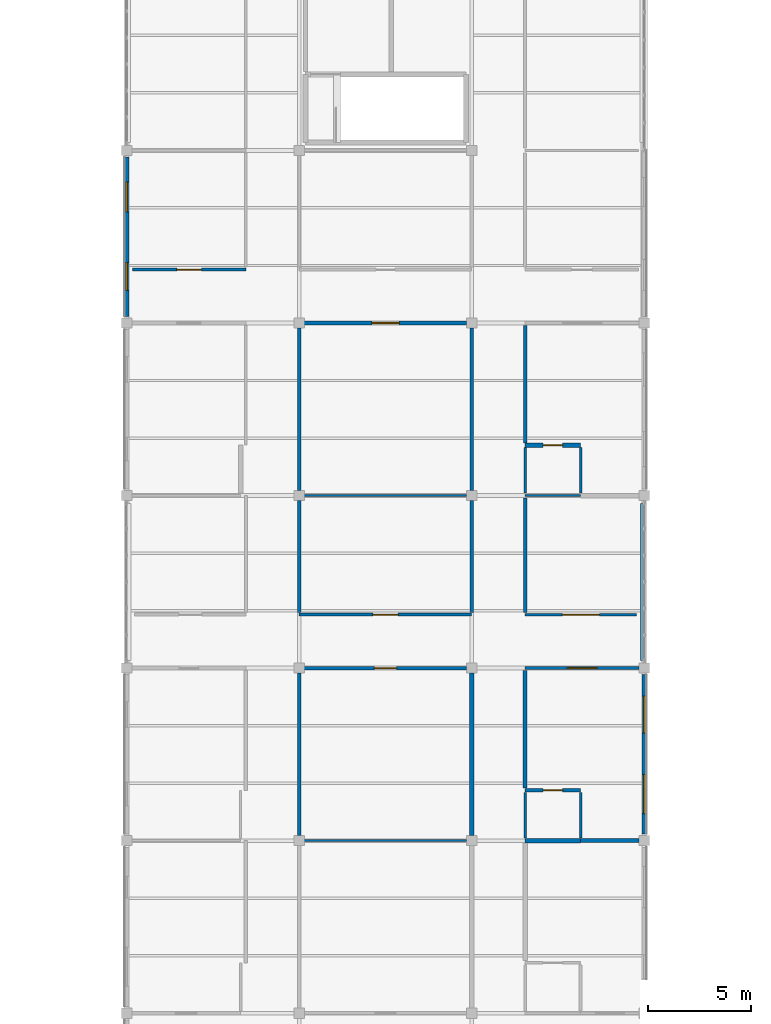
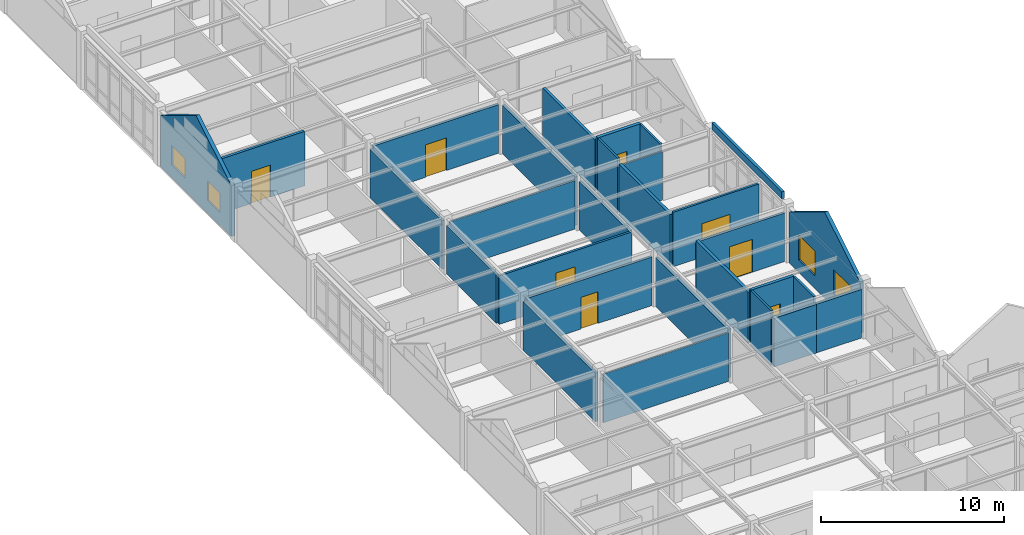
# One storey, part 36 of 45: 29 walls, 8 doors, 4 windows, 12 openings.
"""IFC4 building model written with IfcOpenShell, lengths in metres."""

from ifc_helpers import new_model, si_unit, direction, frame, frame_2d, origin, place, context, subcontext, project, spatial, polyline, rectangle, outline, extrude, material, layer, layer_set, type_object, element, fill, save


model = new_model("IFC4")

# Units and contexts
model_context = context("Model", 3, precision=1e-05, world=origin(), true_north=direction((0.0, 1.0)))
body_context = subcontext(model_context, "Body", "Model", "MODEL_VIEW")
ifc_project = project(units=[si_unit("LENGTHUNIT", "METRE"), si_unit("AREAUNIT", "SQUARE_METRE"), si_unit("VOLUMEUNIT", "CUBIC_METRE"), si_unit("PLANEANGLEUNIT", "RADIAN"), si_unit("MASSUNIT", "GRAM", prefix="KILO")], contexts=[model_context])

# Site, building, storey
site_placement = place(None, origin())
site = spatial("IfcSite", under=ifc_project, at=site_placement, CompositionType="ELEMENT")
building_placement = place(site_placement, origin())
building = spatial("IfcBuilding", under=site, at=building_placement, Name="Bramfleet General Hospital", CompositionType="ELEMENT")
storey_placement = place(building_placement, frame((0.0, 0.0, 30.300048828125)))
storey = spatial("IfcBuildingStorey", under=building, at=storey_placement, Name="L07", CompositionType="ELEMENT", Elevation=30.300048828125)

# Wall, openings, windows
ifc_material_1 = material(Name="Structural timber GL28h", Category="wood")
ifc_layer_1 = layer(ifc_material_1, 0.219970703125, Name="WT-EW-10")
ifc_layer_set_1 = layer_set([ifc_layer_1], Name="Structural timber GL28h")
wall_type_1 = type_object("IfcWallType", Name="WT-EW-10", PredefinedType="SOLIDWALL", material=ifc_layer_set_1)
wall_1_placement = place(storey_placement, frame((92.39990234375, 59.125, 0.0), z_axis=(0.0, 0.0, 1.0), x_axis=(0.0, 1.0, 0.0)))
wall_1 = element("IfcWall", 1, at=wall_1_placement, inside=storey, type_object=wall_type_1, Name="L07 Exterior Wall 428", PredefinedType="SOLIDWALL", context=body_context, shape_type="SweptSolid", body=[
    extrude(outline(polyline([(0.0, 0.0), (7.75, 0.0), (7.75, 3.419921875), (3.875, 5.76025390625), (0.0, 3.419921875), (0.0, 0.0)])), frame((0.0, 0.10986328125, 0.0), z_axis=(0.0, -1.0, 0.0), x_axis=(1.0, 0.0, 0.0)), (0.0, 0.0, 1.0), 0.219970703125),
])
opening_1_placement = place(wall_1_placement, frame((1.262451171875, 0.0, 0.85009765625)))
opening_1 = element("IfcOpeningElement", 2, at=opening_1_placement, cuts=wall_1, Name="Opening W-05", PredefinedType="OPENING", context=body_context, shape_type="SweptSolid", body=[
    extrude(rectangle(XDim=1.35009765625, YDim=1.300048828125, at=frame_2d((0.675048828125, 0.64990234375))), frame((0.0, 0.119873046875, 0.0), z_axis=(0.0, -1.0, 0.0), x_axis=(1.0, 0.0, 0.0)), (0.0, 0.0, 1.0), 0.239990234375),
])
opening_2_placement = place(wall_1_placement, frame((5.08740234375, 0.0, 0.85009765625)))
opening_2 = element("IfcOpeningElement", 3, at=opening_2_placement, cuts=wall_1, Name="Opening W-06", PredefinedType="OPENING", context=body_context, shape_type="SweptSolid", body=[
    extrude(rectangle(XDim=1.449951171875, YDim=1.300048828125, at=frame_2d((0.72509765625, 0.64990234375))), frame((0.0, 0.119873046875, 0.0), z_axis=(0.0, -1.0, 0.0), x_axis=(1.0, 0.0, 0.0)), (0.0, 0.0, 1.0), 0.239990234375),
])
ifc_material_2 = material(Name="Anodised aluminium and low-E triple glazing", Category="aluminium")
window_type_1 = type_object("IfcWindowType", Name="WIN-W-05", PartitioningType="SINGLE_PANEL", PredefinedType="WINDOW", material=ifc_material_2)
window_1_placement = place(opening_1_placement, origin())
window_1 = element("IfcWindow", 4, at=window_1_placement, inside=storey, type_object=window_type_1, Name="L07 Facade Window WIN-L07-428-1", OverallHeight=1.300048828125, OverallWidth=1.35009765625, PartitioningType="SINGLE_PANEL", PredefinedType="WINDOW", context=body_context, shape_type="SweptSolid", body=[
    extrude(rectangle(XDim=1.35009765625, YDim=1.300048828125, at=frame_2d((0.675048828125, 0.64990234375))), frame((0.0, 0.030029296875, 0.0), z_axis=(0.0, -1.0, 0.0), x_axis=(1.0, 0.0, 0.0)), (0.0, 0.0, 1.0), 0.06005859375),
])
fill(opening_1, window_1)
window_type_2 = type_object("IfcWindowType", Name="WIN-W-06", PartitioningType="SINGLE_PANEL", PredefinedType="WINDOW", material=ifc_material_2)
window_2_placement = place(opening_2_placement, origin())
window_2 = element("IfcWindow", 5, at=window_2_placement, inside=storey, type_object=window_type_2, Name="L07 Facade Window WIN-L07-428-2", OverallHeight=1.300048828125, OverallWidth=1.449951171875, PartitioningType="SINGLE_PANEL", PredefinedType="WINDOW", context=body_context, shape_type="SweptSolid", body=[
    extrude(rectangle(XDim=1.449951171875, YDim=1.300048828125, at=frame_2d((0.72509765625, 0.64990234375))), frame((0.0, 0.030029296875, 0.0), z_axis=(0.0, -1.0, 0.0), x_axis=(1.0, 0.0, 0.0)), (0.0, 0.0, 1.0), 0.06005859375),
])
fill(opening_2, window_2)

wall_2_placement = place(storey_placement, frame((117.60009765625, 41.675048828125, 0.0), z_axis=(0.0, 0.0, 1.0), x_axis=(0.0, -1.0, 0.0)))
wall_2 = element("IfcWall", 6, at=wall_2_placement, inside=storey, type_object=wall_type_1, Name="L07 Exterior Wall 445", PredefinedType="SOLIDWALL", context=body_context, shape_type="SweptSolid", body=[
    extrude(outline(polyline([(0.0, 0.0), (7.75, 0.0), (7.75, 3.419921875), (3.875, 5.76025390625), (0.0, 3.419921875), (0.0, 0.0)])), frame((0.0, 0.10986328125, 0.0), z_axis=(0.0, -1.0, 0.0), x_axis=(1.0, 0.0, 0.0)), (0.0, 0.0, 1.0), 0.219970703125),
])
opening_3_placement = place(wall_2_placement, frame((1.03759765625, 0.0, 0.85009765625)))
opening_3 = element("IfcOpeningElement", 7, at=opening_3_placement, cuts=wall_2, Name="Opening W-38", PredefinedType="OPENING", context=body_context, shape_type="SweptSolid", body=[
    extrude(rectangle(XDim=1.800048828125, YDim=1.659912109375, at=frame_2d((0.89990234375, 0.830078125))), frame((0.0, 0.119873046875, 0.0), z_axis=(0.0, -1.0, 0.0), x_axis=(1.0, 0.0, 0.0)), (0.0, 0.0, 1.0), 0.239990234375),
])
opening_4_placement = place(wall_2_placement, frame((4.862548828125, 0.0, 0.85009765625)))
opening_4 = element("IfcOpeningElement", 8, at=opening_4_placement, cuts=wall_2, Name="Opening W-39", PredefinedType="OPENING", context=body_context, shape_type="SweptSolid", body=[
    extrude(rectangle(XDim=1.89990234375, YDim=1.659912109375, at=frame_2d((0.949951171875, 0.830078125))), frame((0.0, 0.119873046875, 0.0), z_axis=(0.0, -1.0, 0.0), x_axis=(1.0, 0.0, 0.0)), (0.0, 0.0, 1.0), 0.239990234375),
])
window_type_3 = type_object("IfcWindowType", Name="WIN-W-38", PartitioningType="SINGLE_PANEL", PredefinedType="WINDOW", material=ifc_material_2)
window_3_placement = place(opening_3_placement, origin())
window_3 = element("IfcWindow", 9, at=window_3_placement, inside=storey, type_object=window_type_3, Name="L07 Facade Window WIN-L07-445-1", OverallHeight=1.659912109375, OverallWidth=1.800048828125, PartitioningType="SINGLE_PANEL", PredefinedType="WINDOW", context=body_context, shape_type="SweptSolid", body=[
    extrude(rectangle(XDim=1.800048828125, YDim=1.659912109375, at=frame_2d((0.89990234375, 0.830078125))), frame((0.0, 0.030029296875, 0.0), z_axis=(0.0, -1.0, 0.0), x_axis=(1.0, 0.0, 0.0)), (0.0, 0.0, 1.0), 0.06005859375),
])
fill(opening_3, window_3)
window_type_4 = type_object("IfcWindowType", Name="WIN-W-39", PartitioningType="SINGLE_PANEL", PredefinedType="WINDOW", material=ifc_material_2)
window_4_placement = place(opening_4_placement, origin())
window_4 = element("IfcWindow", 10, at=window_4_placement, inside=storey, type_object=window_type_4, Name="L07 Facade Window WIN-L07-445-2", OverallHeight=1.659912109375, OverallWidth=1.89990234375, PartitioningType="SINGLE_PANEL", PredefinedType="WINDOW", context=body_context, shape_type="SweptSolid", body=[
    extrude(rectangle(XDim=1.89990234375, YDim=1.659912109375, at=frame_2d((0.949951171875, 0.830078125))), frame((0.0, 0.030029296875, 0.0), z_axis=(0.0, -1.0, 0.0), x_axis=(1.0, 0.0, 0.0)), (0.0, 0.0, 1.0), 0.06005859375),
])
fill(opening_4, window_4)

# Walls
ifc_material_3 = material(Name="Concrete C35/45", Category="concrete")
ifc_layer_2 = layer(ifc_material_3, 0.219970703125, Name="WT-IW-01")
ifc_layer_set_2 = layer_set([ifc_layer_2], Name="Concrete C35/45")
wall_type_2 = type_object("IfcWallType", Name="WT-IW-01", PredefinedType="PARTITIONING", material=ifc_layer_set_2)
wall_3_placement = place(storey_placement, frame((111.800048828125, 33.60009765625, 0.0), z_axis=(0.0, 0.0, 1.0), x_axis=(1.0, 0.0, 0.0)))
element("IfcWall", 11, at=wall_3_placement, inside=storey, type_object=wall_type_2, Name="L07 Interior Partition IW-L07-4165", PredefinedType="PARTITIONING", context=body_context, shape_type="SweptSolid", body=[
    extrude(rectangle(XDim=2.699951171875, YDim=0.219970703125, at=frame_2d((1.35009765625, 0.0))), origin(), (0.0, 0.0, 1.0), 3.25),
])
ifc_layer_3 = layer(ifc_material_3, 0.205078125, Name="WT-IW-02")
ifc_layer_set_3 = layer_set([ifc_layer_3], Name="Concrete C35/45")
wall_type_3 = type_object("IfcWallType", Name="WT-IW-02", PredefinedType="PARTITIONING", material=ifc_layer_set_3)
wall_4_placement = place(storey_placement, frame((114.5, 33.60009765625, 0.0), z_axis=(0.0, 0.0, 1.0), x_axis=(1.0, 0.0, 0.0)))
element("IfcWall", 12, at=wall_4_placement, inside=storey, type_object=wall_type_3, Name="L07 Interior Partition IW-L07-4166", PredefinedType="PARTITIONING", context=body_context, shape_type="SweptSolid", body=[
    extrude(rectangle(XDim=2.85498046875, YDim=0.205078125, at=frame_2d((1.427490234375, 0.0))), origin(), (0.0, 0.0, 1.0), 3.25),
])

# Wall, opening, door
wall_5_placement = place(storey_placement, frame((111.800048828125, 52.85009765625, 0.0), z_axis=(0.0, 0.0, 1.0), x_axis=(1.0, 0.0, 0.0)))
wall_5 = element("IfcWall", 13, at=wall_5_placement, inside=storey, type_object=wall_type_3, Name="L07 Interior Partition IW-L07-4178", PredefinedType="PARTITIONING", context=body_context, shape_type="SweptSolid", body=[
    extrude(rectangle(XDim=2.699951171875, YDim=0.205078125, at=frame_2d((1.35009765625, 0.0))), origin(), (0.0, 0.0, 1.0), 3.64990234375),
])
opening_5_placement = place(wall_5_placement, frame((0.875, 0.0, 0.0)))
opening_5 = element("IfcOpeningElement", 14, at=opening_5_placement, cuts=wall_5, Name="Opening D1575", PredefinedType="OPENING", context=body_context, shape_type="SweptSolid", body=[
    extrude(rectangle(XDim=0.949951171875, YDim=2.10009765625, at=frame_2d((0.47509765625, 1.050048828125))), frame((0.0, 0.112548828125, 0.0), z_axis=(0.0, -1.0, 0.0), x_axis=(1.0, 0.0, 0.0)), (0.0, 0.0, 1.0), 0.22509765625),
])
ifc_material_4 = material(Name="Stainless steel and acoustic timber leaf", Category="steel")
door_type_1 = type_object("IfcDoorType", Name="DR-D-10", OperationType="NOTDEFINED", PredefinedType="DOOR", material=ifc_material_4)
door_1_placement = place(opening_5_placement, origin())
door_1 = element("IfcDoor", 15, at=door_1_placement, inside=storey, type_object=door_type_1, Name="Patient House PH-11 En-Suite Bathroom 1306 Door D1575", OperationType="SINGLE_SWING_LEFT", OverallHeight=2.10009765625, OverallWidth=0.949951171875, PredefinedType="DOOR", context=body_context, shape_type="SweptSolid", body=[
    extrude(rectangle(XDim=0.949951171875, YDim=2.10009765625, at=frame_2d((0.47509765625, 1.050048828125))), frame((0.0, 0.02490234375, 0.0), z_axis=(0.0, -1.0, 0.0), x_axis=(1.0, 0.0, 0.0)), (0.0, 0.0, 1.0), 0.050048828125),
])
fill(opening_5, door_1)

# Wall
wall_6_placement = place(storey_placement, frame((109.199951171875, 33.844970703125, 0.0), z_axis=(0.0, 0.0, 1.0), x_axis=(0.0, 1.0, 0.0)))
element("IfcWall", 16, at=wall_6_placement, inside=storey, type_object=wall_type_3, Name="L07 Interior Partition IW-L07-4298", PredefinedType="PARTITIONING", context=body_context, shape_type="SweptSolid", body=[
    extrude(rectangle(XDim=7.909912109375, YDim=0.205078125, at=frame_2d((3.955078125, 0.0))), origin(), (0.0, 0.0, 1.0), 3.25),
])

# Wall, opening, door
ifc_layer_4 = layer(ifc_material_3, 0.18994140625, Name="WT-IW-03")
ifc_layer_set_4 = layer_set([ifc_layer_4], Name="Concrete C35/45")
wall_type_4 = type_object("IfcWallType", Name="WT-IW-03", PredefinedType="PARTITIONING", material=ifc_layer_set_4)
wall_7_placement = place(storey_placement, frame((111.800048828125, 36.050048828125, 0.0), z_axis=(0.0, 0.0, 1.0), x_axis=(1.0, 0.0, 0.0)))
wall_7 = element("IfcWall", 17, at=wall_7_placement, inside=storey, type_object=wall_type_4, Name="L07 Interior Partition IW-L07-4167", PredefinedType="PARTITIONING", context=body_context, shape_type="SweptSolid", body=[
    extrude(rectangle(XDim=2.699951171875, YDim=0.18994140625, at=frame_2d((1.35009765625, 0.0))), origin(), (0.0, 0.0, 1.0), 3.64990234375),
])
opening_6_placement = place(wall_7_placement, frame((0.875, 0.0, 0.0)))
opening_6 = element("IfcOpeningElement", 18, at=opening_6_placement, cuts=wall_7, Name="Opening D1572", PredefinedType="OPENING", context=body_context, shape_type="SweptSolid", body=[
    extrude(rectangle(XDim=0.949951171875, YDim=2.10009765625, at=frame_2d((0.47509765625, 1.050048828125))), frame((0.0, 0.10498046875, 0.0), z_axis=(0.0, -1.0, 0.0), x_axis=(1.0, 0.0, 0.0)), (0.0, 0.0, 1.0), 0.2099609375),
])
door_2_placement = place(opening_6_placement, origin())
door_2 = element("IfcDoor", 19, at=door_2_placement, inside=storey, type_object=door_type_1, Name="Patient House PH-10 En-Suite Bathroom 1304 Door D1572", OperationType="SINGLE_SWING_LEFT", OverallHeight=2.10009765625, OverallWidth=0.949951171875, PredefinedType="DOOR", context=body_context, shape_type="SweptSolid", body=[
    extrude(rectangle(XDim=0.949951171875, YDim=2.10009765625, at=frame_2d((0.47509765625, 1.050048828125))), frame((0.0, 0.02490234375, 0.0), z_axis=(0.0, -1.0, 0.0), x_axis=(1.0, 0.0, 0.0)), (0.0, 0.0, 1.0), 0.050048828125),
])
fill(opening_6, door_2)

# Walls
wall_8_placement = place(storey_placement, frame((109.199951171875, 44.715087890625, 0.0), z_axis=(0.0, 0.0, 1.0), x_axis=(0.0, 1.0, 0.0)))
element("IfcWall", 20, at=wall_8_placement, inside=storey, type_object=wall_type_4, Name="L07 Interior Partition IW-L07-4299", PredefinedType="PARTITIONING", context=body_context, shape_type="SweptSolid", body=[
    extrude(rectangle(XDim=5.43994140625, YDim=0.18994140625, at=frame_2d((2.719970703125, 0.0))), origin(), (0.0, 0.0, 1.0), 3.25),
])
wall_9_placement = place(storey_placement, frame((111.800048828125, 36.1650390625, 0.0), z_axis=(0.0, 0.0, 1.0), x_axis=(0.0, 1.0, 0.0)))
element("IfcWall", 21, at=wall_9_placement, inside=storey, type_object=wall_type_4, Name="L07 Interior Partition IW-L07-4311", PredefinedType="PARTITIONING", context=body_context, shape_type="SweptSolid", body=[
    extrude(rectangle(XDim=5.719970703125, YDim=0.18994140625, at=frame_2d((2.85986328125, 0.0))), origin(), (0.0, 0.0, 1.0), 3.409912109375),
])

# Wall, opening, door
ifc_layer_5 = layer(ifc_material_3, 0.179931640625, Name="WT-IW-04")
ifc_layer_set_5 = layer_set([ifc_layer_5], Name="Concrete C35/45")
wall_type_5 = type_object("IfcWallType", Name="WT-IW-04", PredefinedType="PARTITIONING", material=ifc_layer_set_5)
wall_10_placement = place(storey_placement, frame((101.044921875, 58.800048828125, 0.0), z_axis=(0.0, 0.0, 1.0), x_axis=(1.0, 0.0, 0.0)))
wall_10 = element("IfcWall", 22, at=wall_10_placement, inside=storey, type_object=wall_type_5, Name="L07 Interior Partition IW-L07-4180", PredefinedType="PARTITIONING", context=body_context, shape_type="SweptSolid", body=[
    extrude(rectangle(XDim=7.91015625, YDim=0.179931640625, at=frame_2d((3.955078125, 0.0))), origin(), (0.0, 0.0, 1.0), 3.25),
])
opening_7_placement = place(wall_10_placement, frame((3.294921875, 0.0, 0.0)))
opening_7 = element("IfcOpeningElement", 23, at=opening_7_placement, cuts=wall_10, Name="Opening D1560", PredefinedType="OPENING", context=body_context, shape_type="SweptSolid", body=[
    extrude(rectangle(XDim=1.320068359375, YDim=2.179931640625, at=frame_2d((0.66015625, 1.08984375))), frame((0.0, 0.099853515625, 0.0), z_axis=(0.0, -1.0, 0.0), x_axis=(1.0, 0.0, 0.0)), (0.0, 0.0, 1.0), 0.199951171875),
])
door_type_2 = type_object("IfcDoorType", Name="DR-D-24", OperationType="NOTDEFINED", PredefinedType="DOOR", material=ifc_material_4)
door_3_placement = place(opening_7_placement, origin())
door_3 = element("IfcDoor", 24, at=door_3_placement, inside=storey, type_object=door_type_2, Name="Patient House Clean Support Room L07-1206 Door D1560", OperationType="SINGLE_SWING_LEFT", OverallHeight=2.179931640625, OverallWidth=1.320068359375, PredefinedType="DOOR", context=body_context, shape_type="SweptSolid", body=[
    extrude(rectangle(XDim=1.320068359375, YDim=2.179931640625, at=frame_2d((0.66015625, 1.08984375))), frame((0.0, 0.02490234375, 0.0), z_axis=(0.0, -1.0, 0.0), x_axis=(1.0, 0.0, 0.0)), (0.0, 0.0, 1.0), 0.050048828125),
])
fill(opening_7, door_3)

# Walls
wall_11_placement = place(storey_placement, frame((109.199951171875, 50.64501953125, 0.0), z_axis=(0.0, 0.0, 1.0), x_axis=(0.0, 1.0, 0.0)))
element("IfcWall", 25, at=wall_11_placement, inside=storey, type_object=wall_type_5, Name="L07 Interior Partition IW-L07-4300", PredefinedType="PARTITIONING", context=body_context, shape_type="SweptSolid", body=[
    extrude(rectangle(XDim=7.909912109375, YDim=0.179931640625, at=frame_2d((3.955078125, 0.0))), origin(), (0.0, 0.0, 1.0), 3.25),
])
wall_12_placement = place(storey_placement, frame((111.800048828125, 44.715087890625, 0.0), z_axis=(0.0, 0.0, 1.0), x_axis=(0.0, 1.0, 0.0)))
element("IfcWall", 26, at=wall_12_placement, inside=storey, type_object=wall_type_5, Name="L07 Interior Partition IW-L07-4312", PredefinedType="PARTITIONING", context=body_context, shape_type="SweptSolid", body=[
    extrude(rectangle(XDim=5.56982421875, YDim=0.179931640625, at=frame_2d((2.784912109375, 0.0))), origin(), (0.0, 0.0, 1.0), 3.409912109375),
])

# Wall, opening, door
ifc_material_5 = material(Name="Gypsum plasterboard on acoustic steel studs", Category="steel")
ifc_layer_6 = layer(ifc_material_5, 0.169921875, Name="WT-IW-05")
ifc_layer_set_6 = layer_set([ifc_layer_6], Name="Gypsum plasterboard on acoustic steel studs")
wall_type_6 = type_object("IfcWallType", Name="WT-IW-05", PredefinedType="PARTITIONING", material=ifc_layer_set_6)
wall_13_placement = place(storey_placement, frame((101.044921875, 42.0, 0.0), z_axis=(0.0, 0.0, 1.0), x_axis=(1.0, 0.0, 0.0)))
wall_13 = element("IfcWall", 27, at=wall_13_placement, inside=storey, type_object=wall_type_6, Name="L07 Interior Partition IW-L07-4169", PredefinedType="PARTITIONING", context=body_context, shape_type="SweptSolid", body=[
    extrude(rectangle(XDim=7.91015625, YDim=0.169921875, at=frame_2d((3.955078125, 0.0))), origin(), (0.0, 0.0, 1.0), 3.25),
])
opening_8_placement = place(wall_13_placement, frame((3.4150390625, 0.0, 0.0)))
opening_8 = element("IfcOpeningElement", 28, at=opening_8_placement, cuts=wall_13, Name="Opening D1558", PredefinedType="OPENING", context=body_context, shape_type="SweptSolid", body=[
    extrude(rectangle(XDim=1.080078125, YDim=2.1201171875, at=frame_2d((0.5400390625, 1.06005859375))), frame((0.0, 0.094970703125, 0.0), z_axis=(0.0, -1.0, 0.0), x_axis=(1.0, 0.0, 0.0)), (0.0, 0.0, 1.0), 0.18994140625),
])
door_type_3 = type_object("IfcDoorType", Name="DR-D-22", OperationType="NOTDEFINED", PredefinedType="DOOR", material=ifc_material_4)
door_4_placement = place(opening_8_placement, origin())
door_4 = element("IfcDoor", 29, at=door_4_placement, inside=storey, type_object=door_type_3, Name="Patient House Clean Support Room L07-1204 Door D1558", OperationType="SINGLE_SWING_LEFT", OverallHeight=2.1201171875, OverallWidth=1.080078125, PredefinedType="DOOR", context=body_context, shape_type="SweptSolid", body=[
    extrude(rectangle(XDim=1.080078125, YDim=2.1201171875, at=frame_2d((0.5400390625, 1.06005859375))), frame((0.0, 0.02490234375, 0.0), z_axis=(0.0, -1.0, 0.0), x_axis=(1.0, 0.0, 0.0)), (0.0, 0.0, 1.0), 0.050048828125),
])
fill(opening_8, door_4)

# Wall
wall_14_placement = place(storey_placement, frame((100.800048828125, 33.844970703125, 0.0), z_axis=(0.0, 0.0, 1.0), x_axis=(0.0, 1.0, 0.0)))
element("IfcWall", 30, at=wall_14_placement, inside=storey, type_object=wall_type_6, Name="L07 Interior Partition IW-L07-4289", PredefinedType="PARTITIONING", context=body_context, shape_type="SweptSolid", body=[
    extrude(rectangle(XDim=7.909912109375, YDim=0.169921875, at=frame_2d((3.955078125, 0.0))), origin(), (0.0, 0.0, 1.0), 3.25),
])

# Wall, opening, door
ifc_layer_7 = layer(ifc_material_5, 0.159912109375, Name="WT-IW-06")
ifc_layer_set_7 = layer_set([ifc_layer_7], Name="Gypsum plasterboard on acoustic steel studs")
wall_type_7 = type_object("IfcWallType", Name="WT-IW-06", PredefinedType="PARTITIONING", material=ifc_layer_set_7)
wall_15_placement = place(storey_placement, frame((111.800048828125, 42.0, 0.0), z_axis=(0.0, 0.0, 1.0), x_axis=(1.0, 0.0, 0.0)))
wall_15 = element("IfcWall", 31, at=wall_15_placement, inside=storey, type_object=wall_type_7, Name="L07 Interior Partition IW-L07-4170", PredefinedType="PARTITIONING", context=body_context, shape_type="SweptSolid", body=[
    extrude(rectangle(XDim=5.554931640625, YDim=0.159912109375, at=frame_2d((2.77734375, 0.0))), origin(), (0.0, 0.0, 1.0), 3.25),
])
opening_9_placement = place(wall_15_placement, frame((2.052490234375, 0.0, 0.0)))
opening_9 = element("IfcOpeningElement", 32, at=opening_9_placement, cuts=wall_15, Name="Opening D1571", PredefinedType="OPENING", context=body_context, shape_type="SweptSolid", body=[
    extrude(rectangle(XDim=1.449951171875, YDim=2.199951171875, at=frame_2d((0.72509765625, 1.10009765625))), frame((0.0, 0.08984375, 0.0), z_axis=(0.0, -1.0, 0.0), x_axis=(1.0, 0.0, 0.0)), (0.0, 0.0, 1.0), 0.179931640625),
])
door_type_4 = type_object("IfcDoorType", Name="DR-D-03", OperationType="NOTDEFINED", PredefinedType="DOOR", material=ifc_material_4)
door_5_placement = place(opening_9_placement, origin())
door_5 = element("IfcDoor", 33, at=door_5_placement, inside=storey, type_object=door_type_4, Name="Gabled Patient House PH-10 Bedroom 1304 Door D1571", OperationType="SINGLE_SWING_RIGHT", OverallHeight=2.199951171875, OverallWidth=1.449951171875, PredefinedType="DOOR", context=body_context, shape_type="SweptSolid", body=[
    extrude(rectangle(XDim=1.449951171875, YDim=2.199951171875, at=frame_2d((0.72509765625, 1.10009765625))), frame((0.0, 0.02490234375, 0.0), z_axis=(0.0, -1.0, 0.0), x_axis=(1.0, 0.0, 0.0)), (0.0, 0.0, 1.0), 0.050048828125),
])
fill(opening_9, door_5)

wall_16_placement = place(storey_placement, frame((92.679931640625, 61.39990234375, 0.0), z_axis=(0.0, 0.0, 1.0), x_axis=(1.0, 0.0, 0.0)))
wall_16 = element("IfcWall", 34, at=wall_16_placement, inside=storey, type_object=wall_type_7, Name="L07 Interior Partition IW-L07-4182", PredefinedType="PARTITIONING", context=body_context, shape_type="SweptSolid", body=[
    extrude(rectangle(XDim=5.52001953125, YDim=0.159912109375, at=frame_2d((2.760009765625, 0.0))), origin(), (0.0, 0.0, 1.0), 3.64990234375),
])
opening_10_placement = place(wall_16_placement, frame((2.159912109375, 0.0, 0.0)))
opening_10 = element("IfcOpeningElement", 35, at=opening_10_placement, cuts=wall_16, Name="Opening D1549", PredefinedType="OPENING", context=body_context, shape_type="SweptSolid", body=[
    extrude(rectangle(XDim=1.199951171875, YDim=2.14990234375, at=frame_2d((0.60009765625, 1.074951171875))), frame((0.0, 0.08984375, 0.0), z_axis=(0.0, -1.0, 0.0), x_axis=(1.0, 0.0, 0.0)), (0.0, 0.0, 1.0), 0.179931640625),
])
door_type_5 = type_object("IfcDoorType", Name="DR-D-13", OperationType="NOTDEFINED", PredefinedType="DOOR", material=ifc_material_4)
door_6_placement = place(opening_10_placement, origin())
door_6 = element("IfcDoor", 36, at=door_6_placement, inside=storey, type_object=door_type_5, Name="Gabled Patient House PH-12 Bedroom 1107 Door D1549", OperationType="SINGLE_SWING_RIGHT", OverallHeight=2.14990234375, OverallWidth=1.199951171875, PredefinedType="DOOR", context=body_context, shape_type="SweptSolid", body=[
    extrude(rectangle(XDim=1.199951171875, YDim=2.14990234375, at=frame_2d((0.60009765625, 1.074951171875))), frame((0.0, 0.02490234375, 0.0), z_axis=(0.0, -1.0, 0.0), x_axis=(1.0, 0.0, 0.0)), (0.0, 0.0, 1.0), 0.050048828125),
])
fill(opening_10, door_6)

# Walls
wall_17_placement = place(storey_placement, frame((100.800048828125, 44.715087890625, 0.0), z_axis=(0.0, 0.0, 1.0), x_axis=(0.0, 1.0, 0.0)))
element("IfcWall", 37, at=wall_17_placement, inside=storey, type_object=wall_type_7, Name="L07 Interior Partition IW-L07-4290", PredefinedType="PARTITIONING", context=body_context, shape_type="SweptSolid", body=[
    extrude(rectangle(XDim=5.43994140625, YDim=0.159912109375, at=frame_2d((2.719970703125, 0.0))), origin(), (0.0, 0.0, 1.0), 3.25),
])
wall_18_placement = place(storey_placement, frame((111.800048828125, 52.965087890625, 0.0), z_axis=(0.0, 0.0, 1.0), x_axis=(0.0, 1.0, 0.0)))
element("IfcWall", 38, at=wall_18_placement, inside=storey, type_object=wall_type_7, Name="L07 Interior Partition IW-L07-4314", PredefinedType="PARTITIONING", context=body_context, shape_type="SweptSolid", body=[
    extrude(rectangle(XDim=5.719970703125, YDim=0.159912109375, at=frame_2d((2.85986328125, 0.0))), origin(), (0.0, 0.0, 1.0), 3.409912109375),
])
ifc_layer_8 = layer(ifc_material_5, 0.14990234375, Name="WT-IW-07")
ifc_layer_set_8 = layer_set([ifc_layer_8], Name="Gypsum plasterboard on acoustic steel studs")
wall_type_8 = type_object("IfcWallType", Name="WT-IW-07", PredefinedType="PARTITIONING", material=ifc_layer_set_8)
wall_19_placement = place(storey_placement, frame((100.800048828125, 50.64501953125, 0.0), z_axis=(0.0, 0.0, 1.0), x_axis=(0.0, 1.0, 0.0)))
element("IfcWall", 39, at=wall_19_placement, inside=storey, type_object=wall_type_8, Name="L07 Interior Partition IW-L07-4291", PredefinedType="PARTITIONING", context=body_context, shape_type="SweptSolid", body=[
    extrude(rectangle(XDim=7.909912109375, YDim=0.14990234375, at=frame_2d((3.955078125, 0.0))), origin(), (0.0, 0.0, 1.0), 3.25),
])

# Wall, opening, door
ifc_layer_9 = layer(ifc_material_5, 0.139892578125, Name="WT-IW-08")
ifc_layer_set_9 = layer_set([ifc_layer_9], Name="Gypsum plasterboard on acoustic steel studs")
wall_type_9 = type_object("IfcWallType", Name="WT-IW-08", PredefinedType="PARTITIONING", material=ifc_layer_set_9)
wall_20_placement = place(storey_placement, frame((100.800048828125, 44.60009765625, 0.0), z_axis=(0.0, 0.0, 1.0), x_axis=(1.0, 0.0, 0.0)))
wall_20 = element("IfcWall", 40, at=wall_20_placement, inside=storey, type_object=wall_type_9, Name="L07 Interior Partition IW-L07-4172", PredefinedType="PARTITIONING", context=body_context, shape_type="SweptSolid", body=[
    extrude(rectangle(XDim=8.39990234375, YDim=0.139892578125, at=frame_2d((4.199951171875, 0.0))), origin(), (0.0, 0.0, 1.0), 3.25),
])
opening_11_placement = place(wall_20_placement, frame((3.590087890625, 0.0, 0.0)))
opening_11 = element("IfcOpeningElement", 41, at=opening_11_placement, cuts=wall_20, Name="Opening D1559", PredefinedType="OPENING", context=body_context, shape_type="SweptSolid", body=[
    extrude(rectangle(XDim=1.219970703125, YDim=2.179931640625, at=frame_2d((0.60986328125, 1.08984375))), frame((0.0, 0.079833984375, 0.0), z_axis=(0.0, -1.0, 0.0), x_axis=(1.0, 0.0, 0.0)), (0.0, 0.0, 1.0), 0.159912109375),
])
door_type_6 = type_object("IfcDoorType", Name="DR-D-23", OperationType="NOTDEFINED", PredefinedType="DOOR", material=ifc_material_4)
door_7_placement = place(opening_11_placement, origin())
door_7 = element("IfcDoor", 42, at=door_7_placement, inside=storey, type_object=door_type_6, Name="Patient House Clean Support Room L07-1205 Door D1559", OperationType="SINGLE_SWING_RIGHT", OverallHeight=2.179931640625, OverallWidth=1.219970703125, PredefinedType="DOOR", context=body_context, shape_type="SweptSolid", body=[
    extrude(rectangle(XDim=1.219970703125, YDim=2.179931640625, at=frame_2d((0.60986328125, 1.08984375))), frame((0.0, 0.02490234375, 0.0), z_axis=(0.0, -1.0, 0.0), x_axis=(1.0, 0.0, 0.0)), (0.0, 0.0, 1.0), 0.050048828125),
])
fill(opening_11, door_7)

ifc_layer_10 = layer(ifc_material_5, 0.1298828125, Name="WT-IW-09")
ifc_layer_set_10 = layer_set([ifc_layer_10], Name="Gypsum plasterboard on acoustic steel studs")
wall_type_10 = type_object("IfcWallType", Name="WT-IW-09", PredefinedType="PARTITIONING", material=ifc_layer_set_10)
wall_21_placement = place(storey_placement, frame((111.800048828125, 44.60009765625, 0.0), z_axis=(0.0, 0.0, 1.0), x_axis=(1.0, 0.0, 0.0)))
wall_21 = element("IfcWall", 43, at=wall_21_placement, inside=storey, type_object=wall_type_10, Name="L07 Interior Partition IW-L07-4173", PredefinedType="PARTITIONING", context=body_context, shape_type="SweptSolid", body=[
    extrude(rectangle(XDim=5.425048828125, YDim=0.1298828125, at=frame_2d((2.71240234375, 0.0))), origin(), (0.0, 0.0, 1.0), 3.64990234375),
])
opening_12_placement = place(wall_21_placement, frame((1.8125, 0.0, 0.0)))
opening_12 = element("IfcOpeningElement", 44, at=opening_12_placement, cuts=wall_21, Name="Opening D1573", PredefinedType="OPENING", context=body_context, shape_type="SweptSolid", body=[
    extrude(rectangle(XDim=1.800048828125, YDim=2.25, at=frame_2d((0.89990234375, 1.125))), frame((0.0, 0.074951171875, 0.0), z_axis=(0.0, -1.0, 0.0), x_axis=(1.0, 0.0, 0.0)), (0.0, 0.0, 1.0), 0.14990234375),
])
door_type_7 = type_object("IfcDoorType", Name="DR-D-05", OperationType="NOTDEFINED", PredefinedType="DOOR", material=ifc_material_4)
door_8_placement = place(opening_12_placement, origin())
door_8 = element("IfcDoor", 45, at=door_8_placement, inside=storey, type_object=door_type_7, Name="Flat-Link Nurse Station and Medication Hub L07-1305 Door D1573", OperationType="DOUBLE_SWING_RIGHT", OverallHeight=2.25, OverallWidth=1.800048828125, PredefinedType="DOOR", context=body_context, shape_type="SweptSolid", body=[
    extrude(rectangle(XDim=1.800048828125, YDim=2.25, at=frame_2d((0.89990234375, 1.125))), frame((0.0, 0.02490234375, 0.0), z_axis=(0.0, -1.0, 0.0), x_axis=(1.0, 0.0, 0.0)), (0.0, 0.0, 1.0), 0.050048828125),
])
fill(opening_12, door_8)

# Walls
wall_22_placement = place(storey_placement, frame((114.5, 33.715087890625, 0.0), z_axis=(0.0, 0.0, 1.0), x_axis=(0.0, 1.0, 0.0)))
element("IfcWall", 46, at=wall_22_placement, inside=storey, type_object=wall_type_10, Name="L07 Interior Partition IW-L07-4329", PredefinedType="PARTITIONING", context=body_context, shape_type="SweptSolid", body=[
    extrude(rectangle(XDim=2.219970703125, YDim=0.1298828125, at=frame_2d((1.10986328125, 0.0))), origin(), (0.0, 0.0, 1.0), 3.64990234375),
])
ifc_layer_11 = layer(ifc_material_5, 0.1201171875, Name="WT-IW-10")
ifc_layer_set_11 = layer_set([ifc_layer_11], Name="Gypsum plasterboard on acoustic steel studs")
wall_type_11 = type_object("IfcWallType", Name="WT-IW-10", PredefinedType="PARTITIONING", material=ifc_layer_set_11)
wall_23_placement = place(storey_placement, frame((111.800048828125, 33.715087890625, 0.0), z_axis=(0.0, 0.0, 1.0), x_axis=(0.0, 1.0, 0.0)))
element("IfcWall", 47, at=wall_23_placement, inside=storey, type_object=wall_type_11, Name="L07 Interior Partition IW-L07-4310", PredefinedType="PARTITIONING", context=body_context, shape_type="SweptSolid", body=[
    extrude(rectangle(XDim=2.219970703125, YDim=0.1201171875, at=frame_2d((1.10986328125, 0.0))), origin(), (0.0, 0.0, 1.0), 3.64990234375),
])
for number, where, z_axis, x_axis, name in (
    (48, (111.800048828125, 50.514892578125, 0.0), (0.0, 0.0, 1.0), (0.0, 1.0, 0.0), "L07 Interior Partition IW-L07-4313"),
    (49, (114.5, 50.514892578125, 0.0), (0.0, 0.0, 1.0), (0.0, 1.0, 0.0), "L07 Interior Partition IW-L07-4330"),
):
    element("IfcWall", number, at=place(storey_placement, frame(where, z_axis=z_axis, x_axis=x_axis)), inside=storey, type_object=wall_type_11, Name=name, PredefinedType="PARTITIONING", context=body_context, shape_type="SweptSolid", body=[
        extrude(rectangle(XDim=2.22021484375, YDim=0.1201171875, at=frame_2d((1.110107421875, 0.0))), origin(), (0.0, 0.0, 1.0), 3.64990234375),
    ])
ifc_layer_12 = layer(ifc_material_5, 0.112060546875, Name="WT-IW-11")
ifc_layer_set_12 = layer_set([ifc_layer_12], Name="Gypsum plasterboard on acoustic steel studs")
wall_type_12 = type_object("IfcWallType", Name="WT-IW-11", PredefinedType="PARTITIONING", material=ifc_layer_set_12)
wall_24_placement = place(storey_placement, frame((101.044921875, 50.39990234375, 0.0), z_axis=(0.0, 0.0, 1.0), x_axis=(1.0, 0.0, 0.0)))
element("IfcWall", 50, at=wall_24_placement, inside=storey, type_object=wall_type_12, Name="L07 Interior Partition IW-L07-4175", PredefinedType="PARTITIONING", context=body_context, shape_type="SweptSolid", body=[
    extrude(rectangle(XDim=7.91015625, YDim=0.112060546875, at=frame_2d((3.955078125, 0.0))), origin(), (0.0, 0.0, 1.0), 3.25),
])
ifc_layer_13 = layer(ifc_material_5, 0.10009765625, Name="WT-IW-12")
ifc_layer_set_13 = layer_set([ifc_layer_13], Name="Gypsum plasterboard on acoustic steel studs")
wall_type_13 = type_object("IfcWallType", Name="WT-IW-12", PredefinedType="PARTITIONING", material=ifc_layer_set_13)
wall_25_placement = place(storey_placement, frame((101.044921875, 33.60009765625, 0.0), z_axis=(0.0, 0.0, 1.0), x_axis=(1.0, 0.0, 0.0)))
element("IfcWall", 51, at=wall_25_placement, inside=storey, type_object=wall_type_13, Name="L07 Interior Partition IW-L07-4164", PredefinedType="PARTITIONING", context=body_context, shape_type="SweptSolid", body=[
    extrude(rectangle(XDim=7.91015625, YDim=0.10009765625, at=frame_2d((3.955078125, 0.0))), origin(), (0.0, 0.0, 1.0), 3.25),
])
wall_26_placement = place(storey_placement, frame((111.800048828125, 50.39990234375, 0.0), z_axis=(0.0, 0.0, 1.0), x_axis=(1.0, 0.0, 0.0)))
element("IfcWall", 52, at=wall_26_placement, inside=storey, type_object=wall_type_13, Name="L07 Interior Partition IW-L07-4176", PredefinedType="PARTITIONING", context=body_context, shape_type="SweptSolid", body=[
    extrude(rectangle(XDim=2.699951171875, YDim=0.10009765625, at=frame_2d((1.35009765625, 0.0))), origin(), (0.0, 0.0, 1.0), 3.25),
])
ifc_material_6 = material(Name="Precast concrete C40/50", Category="concrete")
ifc_layer_14 = layer(ifc_material_6, 0.169921875, Name="WT-PW-03")
ifc_layer_set_14 = layer_set([ifc_layer_14], Name="Precast concrete C40/50")
wall_type_14 = type_object("IfcWallType", Name="WT-PW-03", PredefinedType="PARAPET", material=ifc_layer_set_14)
wall_27_placement = place(storey_placement, frame((117.5048828125, 50.02001953125, 3.8798828125), z_axis=(0.0, 0.0, 1.0), x_axis=(0.0, -1.0, 0.0)))
element("IfcWall", 53, at=wall_27_placement, inside=storey, type_object=wall_type_14, Name="Roof Parapet Wall 99", PredefinedType="PARAPET", context=body_context, shape_type="SweptSolid", body=[
    extrude(rectangle(XDim=7.64013671875, YDim=0.169921875, at=frame_2d((3.820068359375, 0.0))), origin(), (0.0, 0.0, 1.0), 0.469970703125),
])

save(model, "model.ifc")
